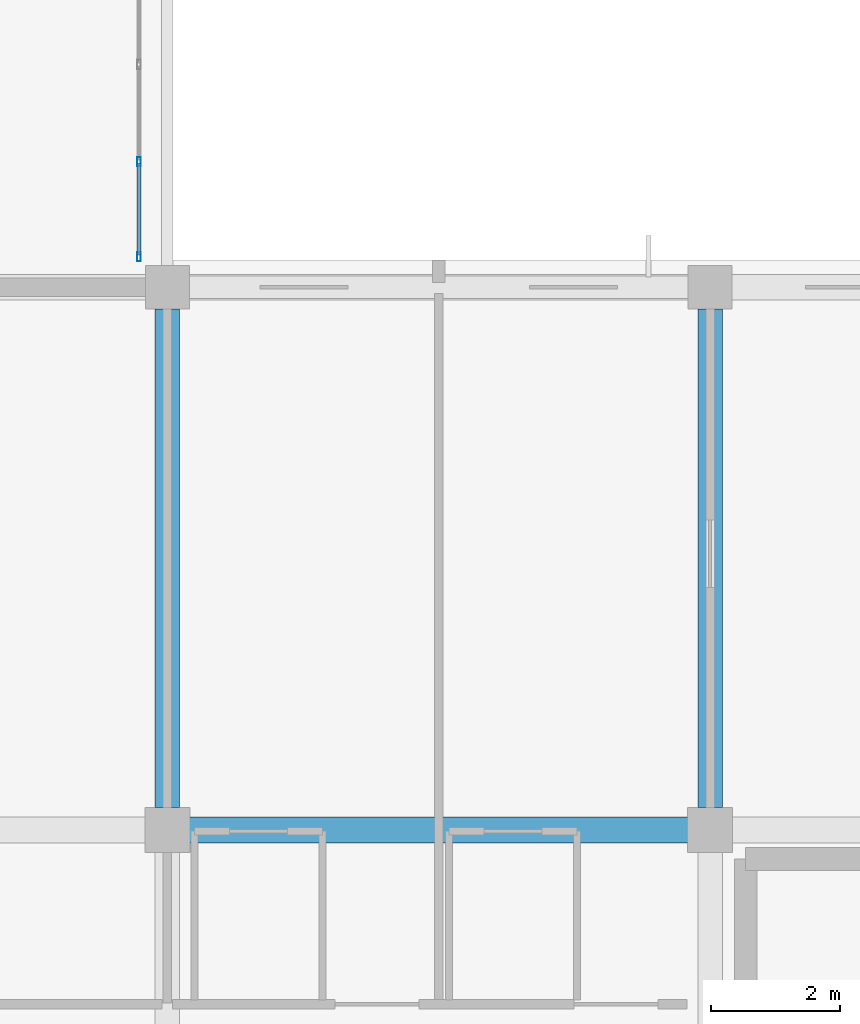
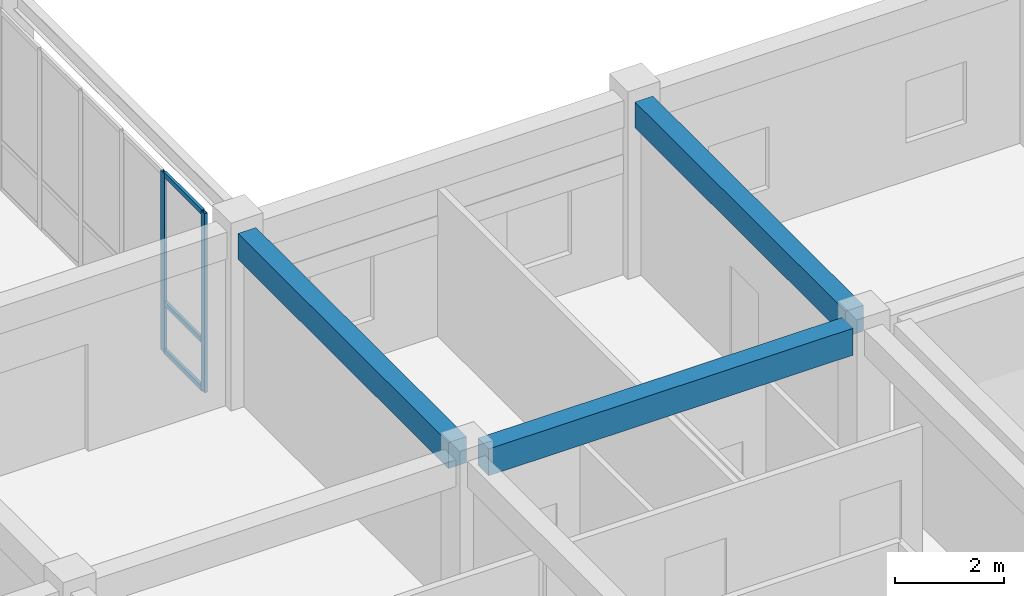
# One storey, part 28 of 140: 5 members, 3 beams, 1 element without a shape of its own.
"""IFC4 building model written with IfcOpenShell, lengths in metres."""

from ifc_helpers import new_model, si_unit, direction, frame, origin, origin_2d, place, context, subcontext, project, spatial, rectangle, hollow_rectangle, extrude, material, layer, layer_set, material_profile, profile_set, type_object, element, aggregate, save


model = new_model("IFC4")

# Units and contexts
model_context = context("Model", 3, precision=1e-05, world=origin(), true_north=direction((0.0, 1.0)))
body_context = subcontext(model_context, "Body", "Model", "MODEL_VIEW")
ifc_project = project(units=[si_unit("LENGTHUNIT", "METRE"), si_unit("AREAUNIT", "SQUARE_METRE"), si_unit("VOLUMEUNIT", "CUBIC_METRE"), si_unit("PLANEANGLEUNIT", "RADIAN"), si_unit("MASSUNIT", "GRAM", prefix="KILO")], contexts=[model_context])

# Site, building, storey
site_placement = place(None, origin())
site = spatial("IfcSite", under=ifc_project, at=site_placement, CompositionType="ELEMENT")
building_placement = place(site_placement, origin())
building = spatial("IfcBuilding", under=site, at=building_placement, Name="Trelvath General Hospital", CompositionType="ELEMENT")
storey_placement = place(building_placement, frame((0.0, 0.0, 16.199951171875)))
storey = spatial("IfcBuildingStorey", under=building, at=storey_placement, Name="L04", CompositionType="ELEMENT", Elevation=16.199951171875)

# Beams
ifc_material_1 = material(Name="Concrete C35/45", Category="concrete")
ifc_material_profile_1 = material_profile(ifc_material_1, rectangle(XDim=0.3798828125, YDim=0.580078125, at=origin_2d()), Name="RCB380x580")
ifc_profile_set_1 = profile_set([ifc_material_profile_1], Name="Concrete C35/45")
beam_type_1 = type_object("IfcBeamType", Name="Beam RC380x580", PredefinedType="BEAM", material=ifc_profile_set_1)
for number, where, z_axis, x_axis, name in (
    (1, (84.0, 17.14501953125, 3.630126953125), (0.0, 1.0, 0.0), (-1.0, 0.0, 0.0), "Grid Beam BY-410C"),
    (2, (92.39990234375, 17.14501953125, 3.630126953125), (0.0, 1.0, 0.0), (-1.0, 0.0, 0.0), "Grid Beam BY-411C"),
):
    element("IfcBeam", number, at=place(storey_placement, frame(where, z_axis=z_axis, x_axis=x_axis)), inside=storey, type_object=beam_type_1, Name=name, PredefinedType="BEAM", context=body_context, shape_type="SweptSolid", body=[
        extrude(rectangle(XDim=0.3798828125, YDim=0.580078125, at=origin_2d()), origin(), (0.0, 0.0, 1.0), 7.719970703125),
    ])
ifc_material_2 = material(Name="Concrete C35/45", Category="concrete")
ifc_material_profile_2 = material_profile(ifc_material_2, rectangle(XDim=0.39990234375, YDim=0.60009765625, at=origin_2d()), Name="RCB400x600")
ifc_profile_set_2 = profile_set([ifc_material_profile_2], Name="Concrete C35/45")
beam_type_2 = type_object("IfcBeamType", Name="Beam RC400x600", PredefinedType="BEAM", material=ifc_profile_set_2)
beam_placement = place(storey_placement, frame((84.344970703125, 16.800048828125, 3.6201171875), z_axis=(1.0, 0.0, 0.0), x_axis=(0.0, 1.0, 0.0)))
element("IfcBeam", 3, at=beam_placement, inside=storey, type_object=beam_type_2, Name="Grid Beam BX-410C", PredefinedType="BEAM", context=body_context, shape_type="SweptSolid", body=[
    extrude(rectangle(XDim=0.39990234375, YDim=0.60009765625, at=origin_2d()), origin(), (0.0, 0.0, 1.0), 7.7099609375),
])

# Curtain wall, members
ifc_material_3 = material(Name="Anodised aluminium and low-E glass", Category="aluminium")
ifc_layer = layer(ifc_material_3, 0.139892578125)
ifc_layer_set = layer_set([ifc_layer], Name="Anodised aluminium and low-E glass")
curtain_wall_type = type_object("IfcCurtainWallType", Name="CW Bridge 752 401", PredefinedType="USERDEFINED", material=ifc_layer_set)
curtain_wall_placement = place(storey_placement, origin())
curtain_wall = element("IfcCurtainWall", 4, at=curtain_wall_placement, inside=storey, type_object=curtain_wall_type, Name="Glazed Bridge Curtain Wall BRG-S-C E L04", ObjectType="Unitised Glazed Curtain Wall", PredefinedType="USERDEFINED")
ifc_material_4 = material(Name="Anodised aluminium", Category="aluminium")
ifc_material_profile_3 = material_profile(ifc_material_4, hollow_rectangle(XDim=0.06005859375, YDim=0.139892578125, WallThickness=0.00390625, at=origin_2d()), Name="RHS60x140x4")
ifc_profile_set_3 = profile_set([ifc_material_profile_3], Name="Anodised aluminium")
member_type_1 = type_object("IfcMemberType", Name="CurtainMullion 60x140", PredefinedType="MULLION", material=ifc_profile_set_3)
member_1_placement = place(storey_placement, frame((83.56005859375, 27.14404296875, 0.0), z_axis=(0.0, 0.0, 1.0), x_axis=(1.0, 0.0, 0.0)))
member_1 = element("IfcMember", 5, at=member_1_placement, type_object=member_type_1, Name="CW-303 mullion 5", PredefinedType="MULLION", context=body_context, shape_type="SweptSolid", body=[
    extrude(hollow_rectangle(XDim=0.06005859375, YDim=0.139892578125, WallThickness=0.00390625, at=origin_2d()), origin(), (0.0, 0.0, 1.0), 4.010009765625),
])
member_2_placement = place(storey_placement, frame((83.56005859375, 25.669921875, 0.0), z_axis=(0.0, 0.0, 1.0), x_axis=(1.0, 0.0, 0.0)))
member_2 = element("IfcMember", 6, at=member_2_placement, type_object=member_type_1, Name="CW-303 mullion 6", PredefinedType="MULLION", context=body_context, shape_type="SweptSolid", body=[
    extrude(hollow_rectangle(XDim=0.06005859375, YDim=0.139892578125, WallThickness=0.00390625, at=origin_2d()), origin(), (0.0, 0.0, 1.0), 4.010009765625),
])
ifc_material_5 = material(Name="Anodised aluminium", Category="aluminium")
ifc_material_profile_4 = material_profile(ifc_material_5, hollow_rectangle(XDim=0.06005859375, YDim=0.110107421875, WallThickness=0.00390625, at=origin_2d()), Name="RHS60x110x4")
ifc_profile_set_4 = profile_set([ifc_material_profile_4], Name="Anodised aluminium")
member_type_2 = type_object("IfcMemberType", Name="CurtainTransom 60x110", PredefinedType="USERDEFINED", material=ifc_profile_set_4)
member_3_placement = place(storey_placement, frame((83.56005859375, 27.114013671875, 0.030029296875), z_axis=(0.0, -1.0, 0.0), x_axis=(1.0, 0.0, 0.0)))
member_3 = element("IfcMember", 7, at=member_3_placement, type_object=member_type_2, Name="CW-303 transom 5.1", ObjectType="TRANSOM", PredefinedType="USERDEFINED", context=body_context, shape_type="SweptSolid", body=[
    extrude(hollow_rectangle(XDim=0.06005859375, YDim=0.110107421875, WallThickness=0.00390625, at=origin_2d()), origin(), (0.0, 0.0, 1.0), 1.4140625),
])
member_4_placement = place(storey_placement, frame((83.56005859375, 27.114013671875, 1.10009765625), z_axis=(0.0, -1.0, 0.0), x_axis=(1.0, 0.0, 0.0)))
member_4 = element("IfcMember", 8, at=member_4_placement, type_object=member_type_2, Name="CW-303 transom 5.2", ObjectType="TRANSOM", PredefinedType="USERDEFINED", context=body_context, shape_type="SweptSolid", body=[
    extrude(hollow_rectangle(XDim=0.06005859375, YDim=0.110107421875, WallThickness=0.00390625, at=origin_2d()), origin(), (0.0, 0.0, 1.0), 1.4140625),
])
member_5_placement = place(storey_placement, frame((83.56005859375, 27.114013671875, 3.97998046875), z_axis=(0.0, -1.0, 0.0), x_axis=(1.0, 0.0, 0.0)))
member_5 = element("IfcMember", 9, at=member_5_placement, type_object=member_type_2, Name="CW-303 transom 5.3", ObjectType="TRANSOM", PredefinedType="USERDEFINED", context=body_context, shape_type="SweptSolid", body=[
    extrude(hollow_rectangle(XDim=0.06005859375, YDim=0.110107421875, WallThickness=0.00390625, at=origin_2d()), origin(), (0.0, 0.0, 1.0), 1.4140625),
])
aggregate(curtain_wall, [member_1, member_2, member_3, member_4, member_5])

save(model, "model.ifc")
